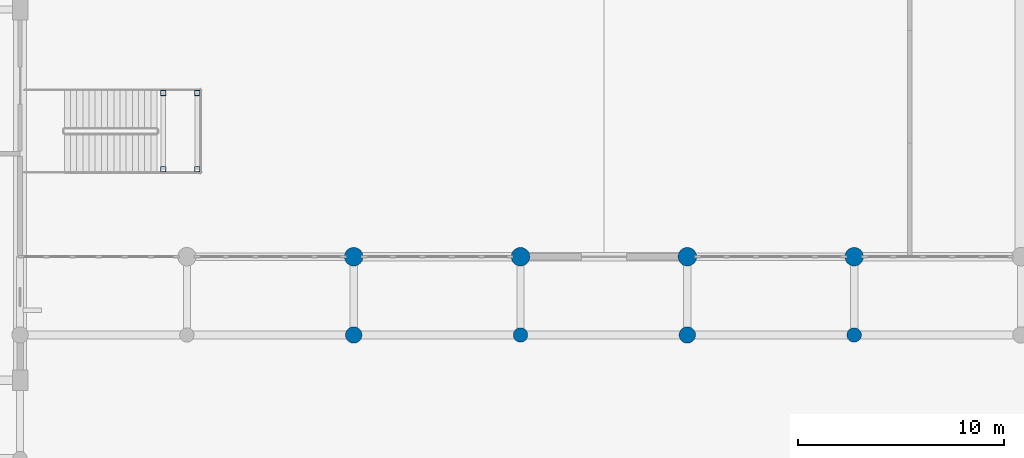
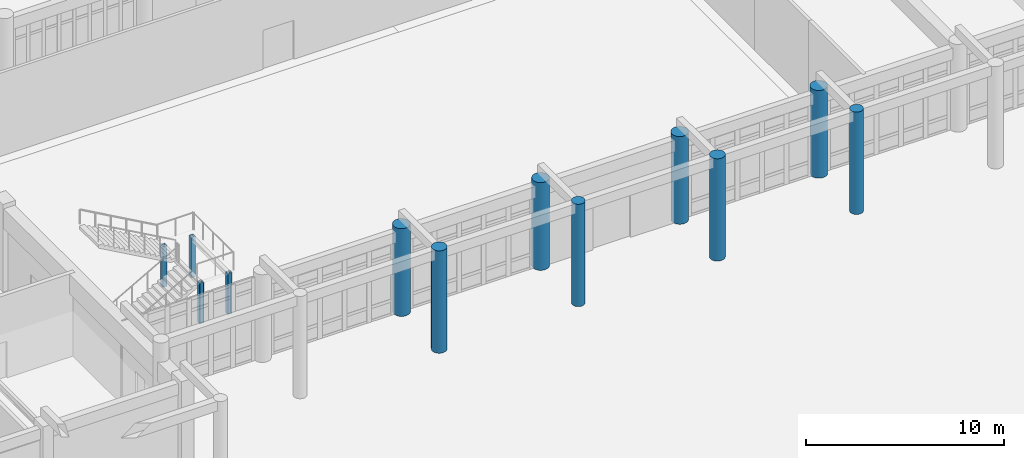
# One storey, part 2 of 62: 12 columns.
"""IFC4 building model written with IfcOpenShell, lengths in metres."""

from ifc_helpers import new_model, si_unit, direction, frame, origin, origin_2d, place, context, subcontext, project, spatial, hollow_rectangle, circle, extrude, material, material_profile, profile_set, type_object, element, save


model = new_model("IFC4")

# Units and contexts
model_context = context("Model", 3, precision=1e-05, world=origin(), true_north=direction((0.0, 1.0)))
body_context = subcontext(model_context, "Body", "Model", "MODEL_VIEW")
ifc_project = project(units=[si_unit("LENGTHUNIT", "METRE"), si_unit("AREAUNIT", "SQUARE_METRE"), si_unit("VOLUMEUNIT", "CUBIC_METRE"), si_unit("PLANEANGLEUNIT", "RADIAN"), si_unit("MASSUNIT", "GRAM", prefix="KILO")], contexts=[model_context])

# Site, building, storey
site_placement = place(None, origin())
site = spatial("IfcSite", under=ifc_project, at=site_placement, CompositionType="ELEMENT")
building_placement = place(site_placement, origin())
building = spatial("IfcBuilding", under=site, at=building_placement, Name="Tarnveldt Square Police Headquarters", CompositionType="ELEMENT")
storey_placement = place(building_placement, origin())
storey = spatial("IfcBuildingStorey", under=building, at=storey_placement, Name="L00", CompositionType="ELEMENT", Elevation=0.0)

# Columns
ifc_material_1 = material(Name="Concrete 40 MPa", Category="concrete")
ifc_material_profile_1 = material_profile(ifc_material_1, circle(Radius=0.35009765625, at=origin_2d()), Name="RC-D700")
ifc_profile_set_1 = profile_set([ifc_material_profile_1], Name="Concrete 40 MPa")
column_type_1 = type_object("IfcColumnType", Name="COL-D700", PredefinedType="COLUMN", material=ifc_profile_set_1)
for number, where, z_axis, x_axis, name in (
    (1, (89.10009765625, 18.199951171875, 0.0), (0.0, 0.0, 1.0), (1.0, 0.0, 0.0), "Tarnveldt Square Round Colonnade Column 11"),
    (2, (105.300048828125, 18.199951171875, 0.0), (0.0, 0.0, 1.0), (1.0, 0.0, 0.0), "Tarnveldt Square Round Colonnade Column 13"),
):
    element("IfcColumn", number, at=place(storey_placement, frame(where, z_axis=z_axis, x_axis=x_axis)), inside=storey, type_object=column_type_1, Name=name, PredefinedType="COLUMN", context=body_context, shape_type="SweptSolid", body=[
        extrude(circle(Radius=0.35009765625, at=origin_2d()), origin(), (0.0, 0.0, 1.0), 6.300048828125),
    ])
ifc_material_profile_2 = material_profile(ifc_material_1, circle(Radius=0.39990234375, at=origin_2d()), Name="RC-D800")
ifc_profile_set_2 = profile_set([ifc_material_profile_2], Name="Concrete 40 MPa")
column_type_2 = type_object("IfcColumnType", Name="COL-D800", PredefinedType="COLUMN", material=ifc_profile_set_2)
for number, where, z_axis, x_axis, name in (
    (3, (81.0, 18.199951171875, 0.0), (0.0, 0.0, 1.0), (1.0, 0.0, 0.0), "Tarnveldt Square Round Colonnade Column 10"),
    (4, (97.199951171875, 18.199951171875, 0.0), (0.0, 0.0, 1.0), (1.0, 0.0, 0.0), "Tarnveldt Square Round Colonnade Column 12"),
):
    element("IfcColumn", number, at=place(storey_placement, frame(where, z_axis=z_axis, x_axis=x_axis)), inside=storey, type_object=column_type_2, Name=name, PredefinedType="COLUMN", context=body_context, shape_type="SweptSolid", body=[
        extrude(circle(Radius=0.39990234375, at=origin_2d()), origin(), (0.0, 0.0, 1.0), 6.300048828125),
    ])
ifc_material_2 = material(Name="Concrete 50 MPa", Category="concrete")
ifc_material_profile_3 = material_profile(ifc_material_2, circle(Radius=0.449951171875, at=origin_2d()), Name="RC-D900")
ifc_profile_set_3 = profile_set([ifc_material_profile_3], Name="Concrete 50 MPa")
column_type_3 = type_object("IfcColumnType", Name="COL-D900", PredefinedType="COLUMN", material=ifc_profile_set_3)
for number, where, z_axis, x_axis, name in (
    (5, (81.0, 22.0, 0.0), (0.0, 0.0, 1.0), (1.0, 0.0, 0.0), "L00 Column 117"),
    (6, (89.10009765625, 22.0, 0.0), (0.0, 0.0, 1.0), (1.0, 0.0, 0.0), "L00 Column 127"),
    (7, (97.199951171875, 22.0, 0.0), (0.0, 0.0, 1.0), (1.0, 0.0, 0.0), "L00 Column 132"),
    (8, (105.300048828125, 22.0, 0.0), (0.0, 0.0, 1.0), (1.0, 0.0, 0.0), "L00 Column 143"),
):
    element("IfcColumn", number, at=place(storey_placement, frame(where, z_axis=z_axis, x_axis=x_axis)), inside=storey, type_object=column_type_3, Name=name, PredefinedType="COLUMN", context=body_context, shape_type="SweptSolid", body=[
        extrude(circle(Radius=0.449951171875, at=origin_2d()), origin(), (0.0, 0.0, 1.0), 5.39990234375),
    ])
ifc_material_3 = material(Name="Steel 350W", Category="steel")
ifc_material_profile_4 = material_profile(ifc_material_3, hollow_rectangle(XDim=0.25390625, YDim=0.25390625, WallThickness=0.0126953125, InnerFilletRadius=0.0126953125, OuterFilletRadius=0.025390625, at=origin_2d()), Name="HSS254x254x13")
ifc_profile_set_4 = profile_set([ifc_material_profile_4], Name="Steel 350W")
column_type_4 = type_object("IfcColumnType", Name="COL-HSS254x13", PredefinedType="COLUMN", material=ifc_profile_set_4)
for number, where, z_axis, x_axis, name in (
    (9, (73.39990234375, 26.25, 0.0), (0.0, 0.0, 1.0), (1.0, 0.0, 0.0), "Monumental Stair ST5 Landing Column 1"),
    (10, (73.39990234375, 29.949951171875, 0.0), (0.0, 0.0, 1.0), (1.0, 0.0, 0.0), "Monumental Stair ST5 Landing Column 2"),
    (11, (71.75, 26.25, 0.0), (0.0, 0.0, 1.0), (1.0, 0.0, 0.0), "Monumental Stair ST5 Landing Column 3"),
    (12, (71.75, 29.949951171875, 0.0), (0.0, 0.0, 1.0), (1.0, 0.0, 0.0), "Monumental Stair ST5 Landing Column 4"),
):
    element("IfcColumn", number, at=place(storey_placement, frame(where, z_axis=z_axis, x_axis=x_axis)), inside=storey, type_object=column_type_4, Name=name, PredefinedType="COLUMN", context=body_context, shape_type="SweptSolid", body=[
        extrude(hollow_rectangle(XDim=0.25390625, YDim=0.25390625, WallThickness=0.0126953125, InnerFilletRadius=0.0126953125, OuterFilletRadius=0.025390625, at=origin_2d()), origin(), (0.0, 0.0, 1.0), 2.5),
    ])

save(model, "model.ifc")
